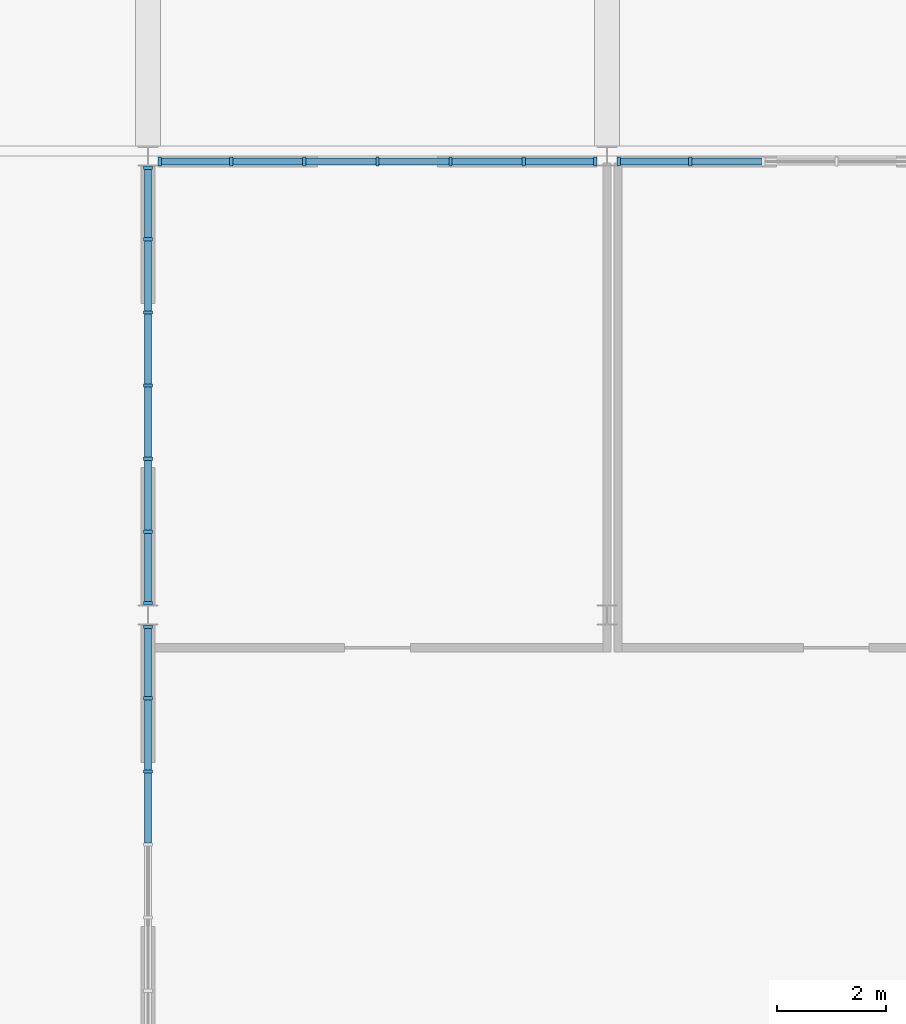
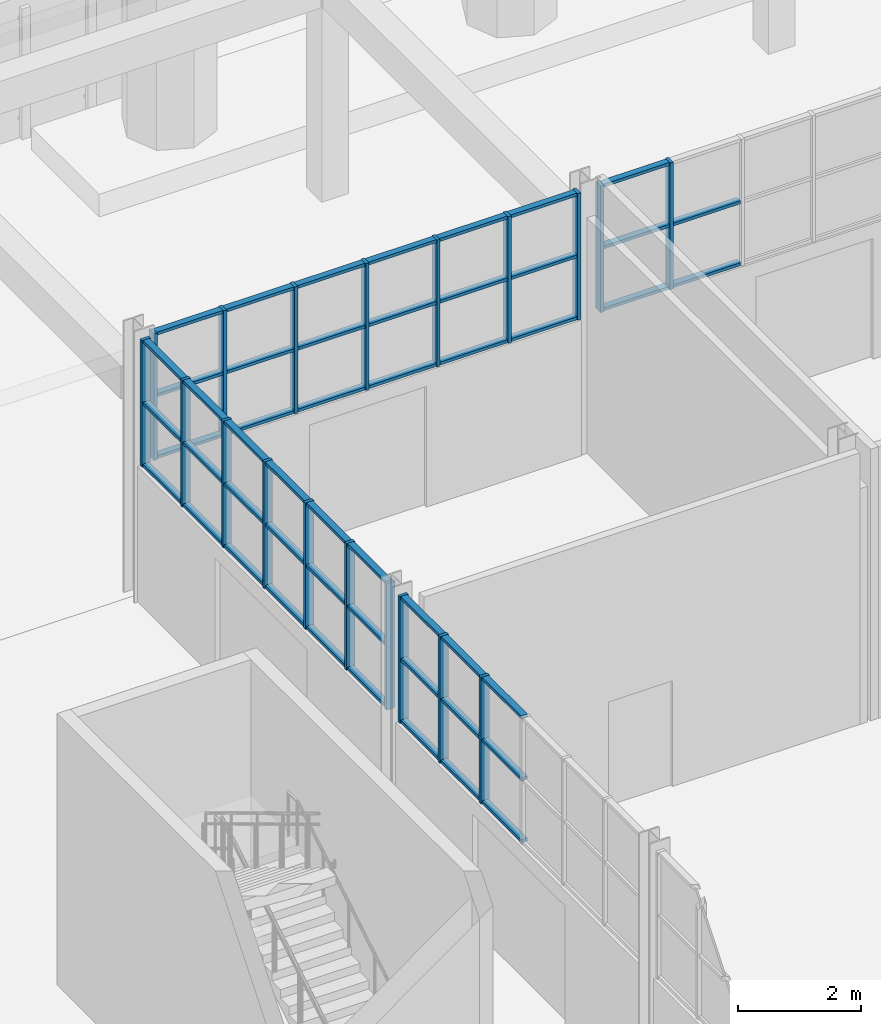
# One storey, part 39 of 127: 69 members, 4 elements without a shape of their own.
"""IFC4 building model written with IfcOpenShell, lengths in metres."""

from ifc_helpers import new_model, si_unit, direction, frame, origin, origin_2d, place, context, subcontext, project, spatial, rectangle, extrude, material, material_profile, profile_set, type_object, element, aggregate, save


model = new_model("IFC4")

# Units and contexts
model_context = context("Model", 3, precision=1e-05, world=origin(), true_north=direction((0.0, 1.0)))
body_context = subcontext(model_context, "Body", "Model", "MODEL_VIEW")
ifc_project = project(units=[si_unit("LENGTHUNIT", "METRE"), si_unit("AREAUNIT", "SQUARE_METRE"), si_unit("VOLUMEUNIT", "CUBIC_METRE"), si_unit("PLANEANGLEUNIT", "RADIAN"), si_unit("MASSUNIT", "GRAM", prefix="KILO")], contexts=[model_context])

# Site, building, storey
site_placement = place(None, origin())
site = spatial("IfcSite", under=ifc_project, at=site_placement, CompositionType="ELEMENT")
building_placement = place(site_placement, origin())
building = spatial("IfcBuilding", under=site, at=building_placement, Name="Ljudholm Concert House", CompositionType="ELEMENT")
storey_placement = place(building_placement, origin())
storey = spatial("IfcBuildingStorey", under=building, at=storey_placement, Name="L00", CompositionType="ELEMENT", Elevation=0.0)

# Curtain wall, members
ifc_material_1 = material(Name="Aluminium curtain wall with impact-rated laminated glass", Category="aluminium")
curtain_wall_type = type_object("IfcCurtainWallType", Name="CURTAIN WALL 1400", PredefinedType="NOTDEFINED", material=ifc_material_1)
curtain_wall_1_placement = place(storey_placement, origin())
curtain_wall_1 = element("IfcCurtainWall", 1, at=curtain_wall_1_placement, inside=storey, type_object=curtain_wall_type, Name="Foyer curtain wall", PredefinedType="NOTDEFINED")
ifc_material_2 = material(Name="Aluminium extrusion", Category="aluminium")
ifc_material_profile_1 = material_profile(ifc_material_2, rectangle(XDim=0.159912109375, YDim=0.06005859375, at=origin_2d()), Name="MULLION 60x160")
ifc_profile_set_1 = profile_set([ifc_material_profile_1], Name="Aluminium extrusion")
member_type_1 = type_object("IfcMemberType", Name="MULLION 60x160", PredefinedType="MULLION", material=ifc_profile_set_1)
member_1_placement = place(storey_placement, frame((12.39990234375, 118.73779296875, 2.699951171875), z_axis=(0.0, 0.0, 1.0), x_axis=(-1.0, 0.0, 0.0)))
member_1 = element("IfcMember", 2, at=member_1_placement, type_object=member_type_1, Name="Mullion", PredefinedType="MULLION", context=body_context, shape_type="SweptSolid", body=[
    extrude(rectangle(XDim=0.159912109375, YDim=0.06005859375, at=origin_2d()), origin(), (0.0, 0.0, 1.0), 2.52001953125),
])
member_2_placement = place(storey_placement, frame((12.39990234375, 120.075439453125, 2.699951171875), z_axis=(0.0, 0.0, 1.0), x_axis=(-1.0, 0.0, 0.0)))
member_2 = element("IfcMember", 3, at=member_2_placement, type_object=member_type_1, Name="Mullion", PredefinedType="MULLION", context=body_context, shape_type="SweptSolid", body=[
    extrude(rectangle(XDim=0.159912109375, YDim=0.06005859375, at=origin_2d()), origin(), (0.0, 0.0, 1.0), 2.52001953125),
])
member_3_placement = place(storey_placement, frame((12.39990234375, 121.38330078125, 2.699951171875), z_axis=(0.0, 0.0, 1.0), x_axis=(-1.0, 0.0, 0.0)))
member_3 = element("IfcMember", 4, at=member_3_placement, type_object=member_type_1, Name="Mullion", PredefinedType="MULLION", context=body_context, shape_type="SweptSolid", body=[
    extrude(rectangle(XDim=0.159912109375, YDim=0.06005859375, at=origin_2d()), origin(), (0.0, 0.0, 1.0), 2.52001953125),
])

curtain_wall_2_placement = place(storey_placement, origin())
curtain_wall_2 = element("IfcCurtainWall", 5, at=curtain_wall_2_placement, inside=storey, type_object=curtain_wall_type, Name="Foyer curtain wall", PredefinedType="NOTDEFINED")
member_4_placement = place(storey_placement, frame((12.39990234375, 121.816650390625, 2.699951171875), z_axis=(0.0, 0.0, 1.0), x_axis=(-1.0, 0.0, 0.0)))
member_4 = element("IfcMember", 6, at=member_4_placement, type_object=member_type_1, Name="Mullion", PredefinedType="MULLION", context=body_context, shape_type="SweptSolid", body=[
    extrude(rectangle(XDim=0.159912109375, YDim=0.06005859375, at=origin_2d()), origin(), (0.0, 0.0, 1.0), 2.52001953125),
])
member_5_placement = place(storey_placement, frame((12.39990234375, 123.12451171875, 2.699951171875), z_axis=(0.0, 0.0, 1.0), x_axis=(-1.0, 0.0, 0.0)))
member_5 = element("IfcMember", 7, at=member_5_placement, type_object=member_type_1, Name="Mullion", PredefinedType="MULLION", context=body_context, shape_type="SweptSolid", body=[
    extrude(rectangle(XDim=0.159912109375, YDim=0.06005859375, at=origin_2d()), origin(), (0.0, 0.0, 1.0), 2.52001953125),
])
member_6_placement = place(storey_placement, frame((12.39990234375, 124.462158203125, 2.699951171875), z_axis=(0.0, 0.0, 1.0), x_axis=(-1.0, 0.0, 0.0)))
member_6 = element("IfcMember", 8, at=member_6_placement, type_object=member_type_1, Name="Mullion", PredefinedType="MULLION", context=body_context, shape_type="SweptSolid", body=[
    extrude(rectangle(XDim=0.159912109375, YDim=0.06005859375, at=origin_2d()), origin(), (0.0, 0.0, 1.0), 2.52001953125),
])
member_7_placement = place(storey_placement, frame((12.39990234375, 125.800048828125, 2.699951171875), z_axis=(0.0, 0.0, 1.0), x_axis=(-1.0, 0.0, 0.0)))
member_7 = element("IfcMember", 9, at=member_7_placement, type_object=member_type_1, Name="Mullion", PredefinedType="MULLION", context=body_context, shape_type="SweptSolid", body=[
    extrude(rectangle(XDim=0.159912109375, YDim=0.06005859375, at=origin_2d()), origin(), (0.0, 0.0, 1.0), 2.52001953125),
])
member_8_placement = place(storey_placement, frame((12.39990234375, 127.1376953125, 2.699951171875), z_axis=(0.0, 0.0, 1.0), x_axis=(-1.0, 0.0, 0.0)))
member_8 = element("IfcMember", 10, at=member_8_placement, type_object=member_type_1, Name="Mullion", PredefinedType="MULLION", context=body_context, shape_type="SweptSolid", body=[
    extrude(rectangle(XDim=0.159912109375, YDim=0.06005859375, at=origin_2d()), origin(), (0.0, 0.0, 1.0), 2.52001953125),
])
member_9_placement = place(storey_placement, frame((12.39990234375, 128.4755859375, 2.699951171875), z_axis=(0.0, 0.0, 1.0), x_axis=(-1.0, 0.0, 0.0)))
member_9 = element("IfcMember", 11, at=member_9_placement, type_object=member_type_1, Name="Mullion", PredefinedType="MULLION", context=body_context, shape_type="SweptSolid", body=[
    extrude(rectangle(XDim=0.159912109375, YDim=0.06005859375, at=origin_2d()), origin(), (0.0, 0.0, 1.0), 2.52001953125),
])
member_10_placement = place(storey_placement, frame((12.39990234375, 129.783203125, 2.699951171875), z_axis=(0.0, 0.0, 1.0), x_axis=(-1.0, 0.0, 0.0)))
member_10 = element("IfcMember", 12, at=member_10_placement, type_object=member_type_1, Name="Mullion", PredefinedType="MULLION", context=body_context, shape_type="SweptSolid", body=[
    extrude(rectangle(XDim=0.159912109375, YDim=0.06005859375, at=origin_2d()), origin(), (0.0, 0.0, 1.0), 2.52001953125),
])

curtain_wall_3_placement = place(storey_placement, origin())
curtain_wall_3 = element("IfcCurtainWall", 13, at=curtain_wall_3_placement, inside=storey, type_object=curtain_wall_type, Name="North curtain wall", PredefinedType="NOTDEFINED")
member_11_placement = place(storey_placement, frame((12.61669921875, 129.89990234375, 2.699951171875), z_axis=(0.0, 0.0, 1.0), x_axis=(0.0, 1.0, 0.0)))
member_11 = element("IfcMember", 14, at=member_11_placement, type_object=member_type_1, Name="Mullion", PredefinedType="MULLION", context=body_context, shape_type="SweptSolid", body=[
    extrude(rectangle(XDim=0.159912109375, YDim=0.06005859375, at=origin_2d()), origin(), (0.0, 0.0, 1.0), 2.52001953125),
])
member_12_placement = place(storey_placement, frame((13.924560546875, 129.89990234375, 2.699951171875), z_axis=(0.0, 0.0, 1.0), x_axis=(0.0, 1.0, 0.0)))
member_12 = element("IfcMember", 15, at=member_12_placement, type_object=member_type_1, Name="Mullion", PredefinedType="MULLION", context=body_context, shape_type="SweptSolid", body=[
    extrude(rectangle(XDim=0.159912109375, YDim=0.06005859375, at=origin_2d()), origin(), (0.0, 0.0, 1.0), 2.52001953125),
])
member_13_placement = place(storey_placement, frame((15.26220703125, 129.89990234375, 2.699951171875), z_axis=(0.0, 0.0, 1.0), x_axis=(0.0, 1.0, 0.0)))
member_13 = element("IfcMember", 16, at=member_13_placement, type_object=member_type_1, Name="Mullion", PredefinedType="MULLION", context=body_context, shape_type="SweptSolid", body=[
    extrude(rectangle(XDim=0.159912109375, YDim=0.06005859375, at=origin_2d()), origin(), (0.0, 0.0, 1.0), 2.52001953125),
])
member_14_placement = place(storey_placement, frame((16.60009765625, 129.89990234375, 2.699951171875), z_axis=(0.0, 0.0, 1.0), x_axis=(0.0, 1.0, 0.0)))
member_14 = element("IfcMember", 17, at=member_14_placement, type_object=member_type_1, Name="Mullion", PredefinedType="MULLION", context=body_context, shape_type="SweptSolid", body=[
    extrude(rectangle(XDim=0.159912109375, YDim=0.06005859375, at=origin_2d()), origin(), (0.0, 0.0, 1.0), 2.52001953125),
])
member_15_placement = place(storey_placement, frame((17.937744140625, 129.89990234375, 2.699951171875), z_axis=(0.0, 0.0, 1.0), x_axis=(0.0, 1.0, 0.0)))
member_15 = element("IfcMember", 18, at=member_15_placement, type_object=member_type_1, Name="Mullion", PredefinedType="MULLION", context=body_context, shape_type="SweptSolid", body=[
    extrude(rectangle(XDim=0.159912109375, YDim=0.06005859375, at=origin_2d()), origin(), (0.0, 0.0, 1.0), 2.52001953125),
])
member_16_placement = place(storey_placement, frame((19.275634765625, 129.89990234375, 2.699951171875), z_axis=(0.0, 0.0, 1.0), x_axis=(0.0, 1.0, 0.0)))
member_16 = element("IfcMember", 19, at=member_16_placement, type_object=member_type_1, Name="Mullion", PredefinedType="MULLION", context=body_context, shape_type="SweptSolid", body=[
    extrude(rectangle(XDim=0.159912109375, YDim=0.06005859375, at=origin_2d()), origin(), (0.0, 0.0, 1.0), 2.52001953125),
])
member_17_placement = place(storey_placement, frame((20.583251953125, 129.89990234375, 2.699951171875), z_axis=(0.0, 0.0, 1.0), x_axis=(0.0, 1.0, 0.0)))
member_17 = element("IfcMember", 20, at=member_17_placement, type_object=member_type_1, Name="Mullion", PredefinedType="MULLION", context=body_context, shape_type="SweptSolid", body=[
    extrude(rectangle(XDim=0.159912109375, YDim=0.06005859375, at=origin_2d()), origin(), (0.0, 0.0, 1.0), 2.52001953125),
])

curtain_wall_4_placement = place(storey_placement, origin())
curtain_wall_4 = element("IfcCurtainWall", 21, at=curtain_wall_4_placement, inside=storey, type_object=curtain_wall_type, Name="North curtain wall", PredefinedType="NOTDEFINED")
member_18_placement = place(storey_placement, frame((21.0166015625, 129.89990234375, 2.699951171875), z_axis=(0.0, 0.0, 1.0), x_axis=(0.0, 1.0, 0.0)))
member_18 = element("IfcMember", 22, at=member_18_placement, type_object=member_type_1, Name="Mullion", PredefinedType="MULLION", context=body_context, shape_type="SweptSolid", body=[
    extrude(rectangle(XDim=0.159912109375, YDim=0.06005859375, at=origin_2d()), origin(), (0.0, 0.0, 1.0), 2.52001953125),
])
member_19_placement = place(storey_placement, frame((22.324462890625, 129.89990234375, 2.699951171875), z_axis=(0.0, 0.0, 1.0), x_axis=(0.0, 1.0, 0.0)))
member_19 = element("IfcMember", 23, at=member_19_placement, type_object=member_type_1, Name="Mullion", PredefinedType="MULLION", context=body_context, shape_type="SweptSolid", body=[
    extrude(rectangle(XDim=0.159912109375, YDim=0.06005859375, at=origin_2d()), origin(), (0.0, 0.0, 1.0), 2.52001953125),
])

# Member
ifc_material_3 = material(Name="Aluminium extrusion", Category="aluminium")
ifc_material_profile_2 = material_profile(ifc_material_3, rectangle(XDim=0.1201171875, YDim=0.06005859375, at=origin_2d()), Name="TRANSOM 60x120")
ifc_profile_set_2 = profile_set([ifc_material_profile_2], Name="Aluminium extrusion")
member_type_2 = type_object("IfcMemberType", Name="TRANSOM 60x120", PredefinedType="USERDEFINED", material=ifc_profile_set_2)
member_20_placement = place(storey_placement, frame((12.39990234375, 117.429931640625, 2.72998046875), z_axis=(0.0, 1.0, 0.0), x_axis=(-1.0, 0.0, 0.0)))
member_20 = element("IfcMember", 24, at=member_20_placement, type_object=member_type_2, Name="Transom", ObjectType="TRANSOM", PredefinedType="USERDEFINED", context=body_context, shape_type="SweptSolid", body=[
    extrude(rectangle(XDim=0.1201171875, YDim=0.06005859375, at=origin_2d()), origin(), (0.0, 0.0, 1.0), 1.27783203125),
])

member_21_placement = place(storey_placement, frame((12.39990234375, 117.429931640625, 3.9599609375), z_axis=(0.0, 1.0, 0.0), x_axis=(-1.0, 0.0, 0.0)))
member_21 = element("IfcMember", 25, at=member_21_placement, type_object=member_type_2, Name="Transom", ObjectType="TRANSOM", PredefinedType="USERDEFINED", context=body_context, shape_type="SweptSolid", body=[
    extrude(rectangle(XDim=0.1201171875, YDim=0.06005859375, at=origin_2d()), origin(), (0.0, 0.0, 1.0), 1.27783203125),
])

member_22_placement = place(storey_placement, frame((12.39990234375, 117.429931640625, 5.18994140625), z_axis=(0.0, 1.0, 0.0), x_axis=(-1.0, 0.0, 0.0)))
member_22 = element("IfcMember", 26, at=member_22_placement, type_object=member_type_2, Name="Transom", ObjectType="TRANSOM", PredefinedType="USERDEFINED", context=body_context, shape_type="SweptSolid", body=[
    extrude(rectangle(XDim=0.1201171875, YDim=0.06005859375, at=origin_2d()), origin(), (0.0, 0.0, 1.0), 1.27783203125),
])

member_23_placement = place(storey_placement, frame((12.39990234375, 118.767822265625, 2.72998046875), z_axis=(0.0, 1.0, 0.0), x_axis=(-1.0, 0.0, 0.0)))
member_23 = element("IfcMember", 27, at=member_23_placement, type_object=member_type_2, Name="Transom", ObjectType="TRANSOM", PredefinedType="USERDEFINED", context=body_context, shape_type="SweptSolid", body=[
    extrude(rectangle(XDim=0.1201171875, YDim=0.06005859375, at=origin_2d()), origin(), (0.0, 0.0, 1.0), 1.27783203125),
])

member_24_placement = place(storey_placement, frame((12.39990234375, 118.767822265625, 3.9599609375), z_axis=(0.0, 1.0, 0.0), x_axis=(-1.0, 0.0, 0.0)))
member_24 = element("IfcMember", 28, at=member_24_placement, type_object=member_type_2, Name="Transom", ObjectType="TRANSOM", PredefinedType="USERDEFINED", context=body_context, shape_type="SweptSolid", body=[
    extrude(rectangle(XDim=0.1201171875, YDim=0.06005859375, at=origin_2d()), origin(), (0.0, 0.0, 1.0), 1.27783203125),
])

member_25_placement = place(storey_placement, frame((12.39990234375, 118.767822265625, 5.18994140625), z_axis=(0.0, 1.0, 0.0), x_axis=(-1.0, 0.0, 0.0)))
member_25 = element("IfcMember", 29, at=member_25_placement, type_object=member_type_2, Name="Transom", ObjectType="TRANSOM", PredefinedType="USERDEFINED", context=body_context, shape_type="SweptSolid", body=[
    extrude(rectangle(XDim=0.1201171875, YDim=0.06005859375, at=origin_2d()), origin(), (0.0, 0.0, 1.0), 1.27783203125),
])

member_26_placement = place(storey_placement, frame((12.39990234375, 120.10546875, 2.72998046875), z_axis=(0.0, 1.0, 0.0), x_axis=(-1.0, 0.0, 0.0)))
member_26 = element("IfcMember", 30, at=member_26_placement, type_object=member_type_2, Name="Transom", ObjectType="TRANSOM", PredefinedType="USERDEFINED", context=body_context, shape_type="SweptSolid", body=[
    extrude(rectangle(XDim=0.1201171875, YDim=0.06005859375, at=origin_2d()), origin(), (0.0, 0.0, 1.0), 1.247802734375),
])

member_27_placement = place(storey_placement, frame((12.39990234375, 120.10546875, 3.9599609375), z_axis=(0.0, 1.0, 0.0), x_axis=(-1.0, 0.0, 0.0)))
member_27 = element("IfcMember", 31, at=member_27_placement, type_object=member_type_2, Name="Transom", ObjectType="TRANSOM", PredefinedType="USERDEFINED", context=body_context, shape_type="SweptSolid", body=[
    extrude(rectangle(XDim=0.1201171875, YDim=0.06005859375, at=origin_2d()), origin(), (0.0, 0.0, 1.0), 1.247802734375),
])

member_28_placement = place(storey_placement, frame((12.39990234375, 120.10546875, 5.18994140625), z_axis=(0.0, 1.0, 0.0), x_axis=(-1.0, 0.0, 0.0)))
member_28 = element("IfcMember", 32, at=member_28_placement, type_object=member_type_2, Name="Transom", ObjectType="TRANSOM", PredefinedType="USERDEFINED", context=body_context, shape_type="SweptSolid", body=[
    extrude(rectangle(XDim=0.1201171875, YDim=0.06005859375, at=origin_2d()), origin(), (0.0, 0.0, 1.0), 1.247802734375),
])

aggregate(curtain_wall_1, [member_1, member_2, member_3, member_20, member_21, member_22, member_23, member_24, member_25, member_26, member_27, member_28])

member_29_placement = place(storey_placement, frame((12.39990234375, 121.8466796875, 2.72998046875), z_axis=(0.0, 1.0, 0.0), x_axis=(-1.0, 0.0, 0.0)))
member_29 = element("IfcMember", 33, at=member_29_placement, type_object=member_type_2, Name="Transom", ObjectType="TRANSOM", PredefinedType="USERDEFINED", context=body_context, shape_type="SweptSolid", body=[
    extrude(rectangle(XDim=0.1201171875, YDim=0.06005859375, at=origin_2d()), origin(), (0.0, 0.0, 1.0), 1.247802734375),
])

member_30_placement = place(storey_placement, frame((12.39990234375, 121.8466796875, 3.9599609375), z_axis=(0.0, 1.0, 0.0), x_axis=(-1.0, 0.0, 0.0)))
member_30 = element("IfcMember", 34, at=member_30_placement, type_object=member_type_2, Name="Transom", ObjectType="TRANSOM", PredefinedType="USERDEFINED", context=body_context, shape_type="SweptSolid", body=[
    extrude(rectangle(XDim=0.1201171875, YDim=0.06005859375, at=origin_2d()), origin(), (0.0, 0.0, 1.0), 1.247802734375),
])

member_31_placement = place(storey_placement, frame((12.39990234375, 121.8466796875, 5.18994140625), z_axis=(0.0, 1.0, 0.0), x_axis=(-1.0, 0.0, 0.0)))
member_31 = element("IfcMember", 35, at=member_31_placement, type_object=member_type_2, Name="Transom", ObjectType="TRANSOM", PredefinedType="USERDEFINED", context=body_context, shape_type="SweptSolid", body=[
    extrude(rectangle(XDim=0.1201171875, YDim=0.06005859375, at=origin_2d()), origin(), (0.0, 0.0, 1.0), 1.247802734375),
])

member_32_placement = place(storey_placement, frame((12.39990234375, 123.154541015625, 2.72998046875), z_axis=(0.0, 1.0, 0.0), x_axis=(-1.0, 0.0, 0.0)))
member_32 = element("IfcMember", 36, at=member_32_placement, type_object=member_type_2, Name="Transom", ObjectType="TRANSOM", PredefinedType="USERDEFINED", context=body_context, shape_type="SweptSolid", body=[
    extrude(rectangle(XDim=0.1201171875, YDim=0.06005859375, at=origin_2d()), origin(), (0.0, 0.0, 1.0), 1.277587890625),
])

member_33_placement = place(storey_placement, frame((12.39990234375, 123.154541015625, 3.9599609375), z_axis=(0.0, 1.0, 0.0), x_axis=(-1.0, 0.0, 0.0)))
member_33 = element("IfcMember", 37, at=member_33_placement, type_object=member_type_2, Name="Transom", ObjectType="TRANSOM", PredefinedType="USERDEFINED", context=body_context, shape_type="SweptSolid", body=[
    extrude(rectangle(XDim=0.1201171875, YDim=0.06005859375, at=origin_2d()), origin(), (0.0, 0.0, 1.0), 1.277587890625),
])

member_34_placement = place(storey_placement, frame((12.39990234375, 123.154541015625, 5.18994140625), z_axis=(0.0, 1.0, 0.0), x_axis=(-1.0, 0.0, 0.0)))
member_34 = element("IfcMember", 38, at=member_34_placement, type_object=member_type_2, Name="Transom", ObjectType="TRANSOM", PredefinedType="USERDEFINED", context=body_context, shape_type="SweptSolid", body=[
    extrude(rectangle(XDim=0.1201171875, YDim=0.06005859375, at=origin_2d()), origin(), (0.0, 0.0, 1.0), 1.277587890625),
])

member_35_placement = place(storey_placement, frame((12.39990234375, 124.4921875, 2.72998046875), z_axis=(0.0, 1.0, 0.0), x_axis=(-1.0, 0.0, 0.0)))
member_35 = element("IfcMember", 39, at=member_35_placement, type_object=member_type_2, Name="Transom", ObjectType="TRANSOM", PredefinedType="USERDEFINED", context=body_context, shape_type="SweptSolid", body=[
    extrude(rectangle(XDim=0.1201171875, YDim=0.06005859375, at=origin_2d()), origin(), (0.0, 0.0, 1.0), 1.27783203125),
])

member_36_placement = place(storey_placement, frame((12.39990234375, 124.4921875, 3.9599609375), z_axis=(0.0, 1.0, 0.0), x_axis=(-1.0, 0.0, 0.0)))
member_36 = element("IfcMember", 40, at=member_36_placement, type_object=member_type_2, Name="Transom", ObjectType="TRANSOM", PredefinedType="USERDEFINED", context=body_context, shape_type="SweptSolid", body=[
    extrude(rectangle(XDim=0.1201171875, YDim=0.06005859375, at=origin_2d()), origin(), (0.0, 0.0, 1.0), 1.27783203125),
])

member_37_placement = place(storey_placement, frame((12.39990234375, 124.4921875, 5.18994140625), z_axis=(0.0, 1.0, 0.0), x_axis=(-1.0, 0.0, 0.0)))
member_37 = element("IfcMember", 41, at=member_37_placement, type_object=member_type_2, Name="Transom", ObjectType="TRANSOM", PredefinedType="USERDEFINED", context=body_context, shape_type="SweptSolid", body=[
    extrude(rectangle(XDim=0.1201171875, YDim=0.06005859375, at=origin_2d()), origin(), (0.0, 0.0, 1.0), 1.27783203125),
])

member_38_placement = place(storey_placement, frame((12.39990234375, 125.830078125, 2.72998046875), z_axis=(0.0, 1.0, 0.0), x_axis=(-1.0, 0.0, 0.0)))
member_38 = element("IfcMember", 42, at=member_38_placement, type_object=member_type_2, Name="Transom", ObjectType="TRANSOM", PredefinedType="USERDEFINED", context=body_context, shape_type="SweptSolid", body=[
    extrude(rectangle(XDim=0.1201171875, YDim=0.06005859375, at=origin_2d()), origin(), (0.0, 0.0, 1.0), 1.277587890625),
])

member_39_placement = place(storey_placement, frame((12.39990234375, 125.830078125, 3.9599609375), z_axis=(0.0, 1.0, 0.0), x_axis=(-1.0, 0.0, 0.0)))
member_39 = element("IfcMember", 43, at=member_39_placement, type_object=member_type_2, Name="Transom", ObjectType="TRANSOM", PredefinedType="USERDEFINED", context=body_context, shape_type="SweptSolid", body=[
    extrude(rectangle(XDim=0.1201171875, YDim=0.06005859375, at=origin_2d()), origin(), (0.0, 0.0, 1.0), 1.277587890625),
])

member_40_placement = place(storey_placement, frame((12.39990234375, 125.830078125, 5.18994140625), z_axis=(0.0, 1.0, 0.0), x_axis=(-1.0, 0.0, 0.0)))
member_40 = element("IfcMember", 44, at=member_40_placement, type_object=member_type_2, Name="Transom", ObjectType="TRANSOM", PredefinedType="USERDEFINED", context=body_context, shape_type="SweptSolid", body=[
    extrude(rectangle(XDim=0.1201171875, YDim=0.06005859375, at=origin_2d()), origin(), (0.0, 0.0, 1.0), 1.277587890625),
])

member_41_placement = place(storey_placement, frame((12.39990234375, 127.167724609375, 2.72998046875), z_axis=(0.0, 1.0, 0.0), x_axis=(-1.0, 0.0, 0.0)))
member_41 = element("IfcMember", 45, at=member_41_placement, type_object=member_type_2, Name="Transom", ObjectType="TRANSOM", PredefinedType="USERDEFINED", context=body_context, shape_type="SweptSolid", body=[
    extrude(rectangle(XDim=0.1201171875, YDim=0.06005859375, at=origin_2d()), origin(), (0.0, 0.0, 1.0), 1.27783203125),
])

member_42_placement = place(storey_placement, frame((12.39990234375, 127.167724609375, 3.9599609375), z_axis=(0.0, 1.0, 0.0), x_axis=(-1.0, 0.0, 0.0)))
member_42 = element("IfcMember", 46, at=member_42_placement, type_object=member_type_2, Name="Transom", ObjectType="TRANSOM", PredefinedType="USERDEFINED", context=body_context, shape_type="SweptSolid", body=[
    extrude(rectangle(XDim=0.1201171875, YDim=0.06005859375, at=origin_2d()), origin(), (0.0, 0.0, 1.0), 1.27783203125),
])

member_43_placement = place(storey_placement, frame((12.39990234375, 127.167724609375, 5.18994140625), z_axis=(0.0, 1.0, 0.0), x_axis=(-1.0, 0.0, 0.0)))
member_43 = element("IfcMember", 47, at=member_43_placement, type_object=member_type_2, Name="Transom", ObjectType="TRANSOM", PredefinedType="USERDEFINED", context=body_context, shape_type="SweptSolid", body=[
    extrude(rectangle(XDim=0.1201171875, YDim=0.06005859375, at=origin_2d()), origin(), (0.0, 0.0, 1.0), 1.27783203125),
])

member_44_placement = place(storey_placement, frame((12.39990234375, 128.505615234375, 2.72998046875), z_axis=(0.0, 1.0, 0.0), x_axis=(-1.0, 0.0, 0.0)))
member_44 = element("IfcMember", 48, at=member_44_placement, type_object=member_type_2, Name="Transom", ObjectType="TRANSOM", PredefinedType="USERDEFINED", context=body_context, shape_type="SweptSolid", body=[
    extrude(rectangle(XDim=0.1201171875, YDim=0.06005859375, at=origin_2d()), origin(), (0.0, 0.0, 1.0), 1.247802734375),
])

member_45_placement = place(storey_placement, frame((12.39990234375, 128.505615234375, 3.9599609375), z_axis=(0.0, 1.0, 0.0), x_axis=(-1.0, 0.0, 0.0)))
member_45 = element("IfcMember", 49, at=member_45_placement, type_object=member_type_2, Name="Transom", ObjectType="TRANSOM", PredefinedType="USERDEFINED", context=body_context, shape_type="SweptSolid", body=[
    extrude(rectangle(XDim=0.1201171875, YDim=0.06005859375, at=origin_2d()), origin(), (0.0, 0.0, 1.0), 1.247802734375),
])

member_46_placement = place(storey_placement, frame((12.39990234375, 128.505615234375, 5.18994140625), z_axis=(0.0, 1.0, 0.0), x_axis=(-1.0, 0.0, 0.0)))
member_46 = element("IfcMember", 50, at=member_46_placement, type_object=member_type_2, Name="Transom", ObjectType="TRANSOM", PredefinedType="USERDEFINED", context=body_context, shape_type="SweptSolid", body=[
    extrude(rectangle(XDim=0.1201171875, YDim=0.06005859375, at=origin_2d()), origin(), (0.0, 0.0, 1.0), 1.247802734375),
])

aggregate(curtain_wall_2, [member_4, member_5, member_6, member_7, member_8, member_9, member_10, member_29, member_30, member_31, member_32, member_33, member_34, member_35, member_36, member_37, member_38, member_39, member_40, member_41, member_42, member_43, member_44, member_45, member_46])

member_47_placement = place(storey_placement, frame((12.646728515625, 129.89990234375, 2.72998046875), z_axis=(1.0, 0.0, 0.0), x_axis=(0.0, 1.0, 0.0)))
member_47 = element("IfcMember", 51, at=member_47_placement, type_object=member_type_2, Name="Transom", ObjectType="TRANSOM", PredefinedType="USERDEFINED", context=body_context, shape_type="SweptSolid", body=[
    extrude(rectangle(XDim=0.1201171875, YDim=0.06005859375, at=origin_2d()), origin(), (0.0, 0.0, 1.0), 1.247802734375),
])

member_48_placement = place(storey_placement, frame((12.646728515625, 129.89990234375, 3.9599609375), z_axis=(1.0, 0.0, 0.0), x_axis=(0.0, 1.0, 0.0)))
member_48 = element("IfcMember", 52, at=member_48_placement, type_object=member_type_2, Name="Transom", ObjectType="TRANSOM", PredefinedType="USERDEFINED", context=body_context, shape_type="SweptSolid", body=[
    extrude(rectangle(XDim=0.1201171875, YDim=0.06005859375, at=origin_2d()), origin(), (0.0, 0.0, 1.0), 1.247802734375),
])

member_49_placement = place(storey_placement, frame((12.646728515625, 129.89990234375, 5.18994140625), z_axis=(1.0, 0.0, 0.0), x_axis=(0.0, 1.0, 0.0)))
member_49 = element("IfcMember", 53, at=member_49_placement, type_object=member_type_2, Name="Transom", ObjectType="TRANSOM", PredefinedType="USERDEFINED", context=body_context, shape_type="SweptSolid", body=[
    extrude(rectangle(XDim=0.1201171875, YDim=0.06005859375, at=origin_2d()), origin(), (0.0, 0.0, 1.0), 1.247802734375),
])

member_50_placement = place(storey_placement, frame((13.954345703125, 129.89990234375, 2.72998046875), z_axis=(1.0, 0.0, 0.0), x_axis=(0.0, 1.0, 0.0)))
member_50 = element("IfcMember", 54, at=member_50_placement, type_object=member_type_2, Name="Transom", ObjectType="TRANSOM", PredefinedType="USERDEFINED", context=body_context, shape_type="SweptSolid", body=[
    extrude(rectangle(XDim=0.1201171875, YDim=0.06005859375, at=origin_2d()), origin(), (0.0, 0.0, 1.0), 1.27783203125),
])

member_51_placement = place(storey_placement, frame((13.954345703125, 129.89990234375, 3.9599609375), z_axis=(1.0, 0.0, 0.0), x_axis=(0.0, 1.0, 0.0)))
member_51 = element("IfcMember", 55, at=member_51_placement, type_object=member_type_2, Name="Transom", ObjectType="TRANSOM", PredefinedType="USERDEFINED", context=body_context, shape_type="SweptSolid", body=[
    extrude(rectangle(XDim=0.1201171875, YDim=0.06005859375, at=origin_2d()), origin(), (0.0, 0.0, 1.0), 1.27783203125),
])

member_52_placement = place(storey_placement, frame((13.954345703125, 129.89990234375, 5.18994140625), z_axis=(1.0, 0.0, 0.0), x_axis=(0.0, 1.0, 0.0)))
member_52 = element("IfcMember", 56, at=member_52_placement, type_object=member_type_2, Name="Transom", ObjectType="TRANSOM", PredefinedType="USERDEFINED", context=body_context, shape_type="SweptSolid", body=[
    extrude(rectangle(XDim=0.1201171875, YDim=0.06005859375, at=origin_2d()), origin(), (0.0, 0.0, 1.0), 1.27783203125),
])

member_53_placement = place(storey_placement, frame((15.292236328125, 129.89990234375, 2.72998046875), z_axis=(1.0, 0.0, 0.0), x_axis=(0.0, 1.0, 0.0)))
member_53 = element("IfcMember", 57, at=member_53_placement, type_object=member_type_2, Name="Transom", ObjectType="TRANSOM", PredefinedType="USERDEFINED", context=body_context, shape_type="SweptSolid", body=[
    extrude(rectangle(XDim=0.1201171875, YDim=0.06005859375, at=origin_2d()), origin(), (0.0, 0.0, 1.0), 1.27783203125),
])

member_54_placement = place(storey_placement, frame((15.292236328125, 129.89990234375, 3.9599609375), z_axis=(1.0, 0.0, 0.0), x_axis=(0.0, 1.0, 0.0)))
member_54 = element("IfcMember", 58, at=member_54_placement, type_object=member_type_2, Name="Transom", ObjectType="TRANSOM", PredefinedType="USERDEFINED", context=body_context, shape_type="SweptSolid", body=[
    extrude(rectangle(XDim=0.1201171875, YDim=0.06005859375, at=origin_2d()), origin(), (0.0, 0.0, 1.0), 1.27783203125),
])

member_55_placement = place(storey_placement, frame((15.292236328125, 129.89990234375, 5.18994140625), z_axis=(1.0, 0.0, 0.0), x_axis=(0.0, 1.0, 0.0)))
member_55 = element("IfcMember", 59, at=member_55_placement, type_object=member_type_2, Name="Transom", ObjectType="TRANSOM", PredefinedType="USERDEFINED", context=body_context, shape_type="SweptSolid", body=[
    extrude(rectangle(XDim=0.1201171875, YDim=0.06005859375, at=origin_2d()), origin(), (0.0, 0.0, 1.0), 1.27783203125),
])

member_56_placement = place(storey_placement, frame((16.6298828125, 129.89990234375, 2.72998046875), z_axis=(1.0, 0.0, 0.0), x_axis=(0.0, 1.0, 0.0)))
member_56 = element("IfcMember", 60, at=member_56_placement, type_object=member_type_2, Name="Transom", ObjectType="TRANSOM", PredefinedType="USERDEFINED", context=body_context, shape_type="SweptSolid", body=[
    extrude(rectangle(XDim=0.1201171875, YDim=0.06005859375, at=origin_2d()), origin(), (0.0, 0.0, 1.0), 1.27783203125),
])

member_57_placement = place(storey_placement, frame((16.6298828125, 129.89990234375, 3.9599609375), z_axis=(1.0, 0.0, 0.0), x_axis=(0.0, 1.0, 0.0)))
member_57 = element("IfcMember", 61, at=member_57_placement, type_object=member_type_2, Name="Transom", ObjectType="TRANSOM", PredefinedType="USERDEFINED", context=body_context, shape_type="SweptSolid", body=[
    extrude(rectangle(XDim=0.1201171875, YDim=0.06005859375, at=origin_2d()), origin(), (0.0, 0.0, 1.0), 1.27783203125),
])

member_58_placement = place(storey_placement, frame((16.6298828125, 129.89990234375, 5.18994140625), z_axis=(1.0, 0.0, 0.0), x_axis=(0.0, 1.0, 0.0)))
member_58 = element("IfcMember", 62, at=member_58_placement, type_object=member_type_2, Name="Transom", ObjectType="TRANSOM", PredefinedType="USERDEFINED", context=body_context, shape_type="SweptSolid", body=[
    extrude(rectangle(XDim=0.1201171875, YDim=0.06005859375, at=origin_2d()), origin(), (0.0, 0.0, 1.0), 1.27783203125),
])

member_59_placement = place(storey_placement, frame((17.9677734375, 129.89990234375, 2.72998046875), z_axis=(1.0, 0.0, 0.0), x_axis=(0.0, 1.0, 0.0)))
member_59 = element("IfcMember", 63, at=member_59_placement, type_object=member_type_2, Name="Transom", ObjectType="TRANSOM", PredefinedType="USERDEFINED", context=body_context, shape_type="SweptSolid", body=[
    extrude(rectangle(XDim=0.1201171875, YDim=0.06005859375, at=origin_2d()), origin(), (0.0, 0.0, 1.0), 1.27783203125),
])

member_60_placement = place(storey_placement, frame((17.9677734375, 129.89990234375, 3.9599609375), z_axis=(1.0, 0.0, 0.0), x_axis=(0.0, 1.0, 0.0)))
member_60 = element("IfcMember", 64, at=member_60_placement, type_object=member_type_2, Name="Transom", ObjectType="TRANSOM", PredefinedType="USERDEFINED", context=body_context, shape_type="SweptSolid", body=[
    extrude(rectangle(XDim=0.1201171875, YDim=0.06005859375, at=origin_2d()), origin(), (0.0, 0.0, 1.0), 1.27783203125),
])

member_61_placement = place(storey_placement, frame((17.9677734375, 129.89990234375, 5.18994140625), z_axis=(1.0, 0.0, 0.0), x_axis=(0.0, 1.0, 0.0)))
member_61 = element("IfcMember", 65, at=member_61_placement, type_object=member_type_2, Name="Transom", ObjectType="TRANSOM", PredefinedType="USERDEFINED", context=body_context, shape_type="SweptSolid", body=[
    extrude(rectangle(XDim=0.1201171875, YDim=0.06005859375, at=origin_2d()), origin(), (0.0, 0.0, 1.0), 1.27783203125),
])

member_62_placement = place(storey_placement, frame((19.305419921875, 129.89990234375, 2.72998046875), z_axis=(1.0, 0.0, 0.0), x_axis=(0.0, 1.0, 0.0)))
member_62 = element("IfcMember", 66, at=member_62_placement, type_object=member_type_2, Name="Transom", ObjectType="TRANSOM", PredefinedType="USERDEFINED", context=body_context, shape_type="SweptSolid", body=[
    extrude(rectangle(XDim=0.1201171875, YDim=0.06005859375, at=origin_2d()), origin(), (0.0, 0.0, 1.0), 1.247802734375),
])

member_63_placement = place(storey_placement, frame((19.305419921875, 129.89990234375, 3.9599609375), z_axis=(1.0, 0.0, 0.0), x_axis=(0.0, 1.0, 0.0)))
member_63 = element("IfcMember", 67, at=member_63_placement, type_object=member_type_2, Name="Transom", ObjectType="TRANSOM", PredefinedType="USERDEFINED", context=body_context, shape_type="SweptSolid", body=[
    extrude(rectangle(XDim=0.1201171875, YDim=0.06005859375, at=origin_2d()), origin(), (0.0, 0.0, 1.0), 1.247802734375),
])

member_64_placement = place(storey_placement, frame((19.305419921875, 129.89990234375, 5.18994140625), z_axis=(1.0, 0.0, 0.0), x_axis=(0.0, 1.0, 0.0)))
member_64 = element("IfcMember", 68, at=member_64_placement, type_object=member_type_2, Name="Transom", ObjectType="TRANSOM", PredefinedType="USERDEFINED", context=body_context, shape_type="SweptSolid", body=[
    extrude(rectangle(XDim=0.1201171875, YDim=0.06005859375, at=origin_2d()), origin(), (0.0, 0.0, 1.0), 1.247802734375),
])

aggregate(curtain_wall_3, [member_11, member_12, member_13, member_14, member_15, member_16, member_17, member_47, member_48, member_49, member_50, member_51, member_52, member_53, member_54, member_55, member_56, member_57, member_58, member_59, member_60, member_61, member_62, member_63, member_64])

member_65_placement = place(storey_placement, frame((21.046630859375, 129.89990234375, 2.72998046875), z_axis=(1.0, 0.0, 0.0), x_axis=(0.0, 1.0, 0.0)))
member_65 = element("IfcMember", 69, at=member_65_placement, type_object=member_type_2, Name="Transom", ObjectType="TRANSOM", PredefinedType="USERDEFINED", context=body_context, shape_type="SweptSolid", body=[
    extrude(rectangle(XDim=0.1201171875, YDim=0.06005859375, at=origin_2d()), origin(), (0.0, 0.0, 1.0), 1.247802734375),
])

member_66_placement = place(storey_placement, frame((21.046630859375, 129.89990234375, 3.9599609375), z_axis=(1.0, 0.0, 0.0), x_axis=(0.0, 1.0, 0.0)))
member_66 = element("IfcMember", 70, at=member_66_placement, type_object=member_type_2, Name="Transom", ObjectType="TRANSOM", PredefinedType="USERDEFINED", context=body_context, shape_type="SweptSolid", body=[
    extrude(rectangle(XDim=0.1201171875, YDim=0.06005859375, at=origin_2d()), origin(), (0.0, 0.0, 1.0), 1.247802734375),
])

member_67_placement = place(storey_placement, frame((21.046630859375, 129.89990234375, 5.18994140625), z_axis=(1.0, 0.0, 0.0), x_axis=(0.0, 1.0, 0.0)))
member_67 = element("IfcMember", 71, at=member_67_placement, type_object=member_type_2, Name="Transom", ObjectType="TRANSOM", PredefinedType="USERDEFINED", context=body_context, shape_type="SweptSolid", body=[
    extrude(rectangle(XDim=0.1201171875, YDim=0.06005859375, at=origin_2d()), origin(), (0.0, 0.0, 1.0), 1.247802734375),
])

member_68_placement = place(storey_placement, frame((22.3544921875, 129.89990234375, 2.72998046875), z_axis=(1.0, 0.0, 0.0), x_axis=(0.0, 1.0, 0.0)))
member_68 = element("IfcMember", 72, at=member_68_placement, type_object=member_type_2, Name="Transom", ObjectType="TRANSOM", PredefinedType="USERDEFINED", context=body_context, shape_type="SweptSolid", body=[
    extrude(rectangle(XDim=0.1201171875, YDim=0.06005859375, at=origin_2d()), origin(), (0.0, 0.0, 1.0), 1.27783203125),
])

member_69_placement = place(storey_placement, frame((22.3544921875, 129.89990234375, 3.9599609375), z_axis=(1.0, 0.0, 0.0), x_axis=(0.0, 1.0, 0.0)))
member_69 = element("IfcMember", 73, at=member_69_placement, type_object=member_type_2, Name="Transom", ObjectType="TRANSOM", PredefinedType="USERDEFINED", context=body_context, shape_type="SweptSolid", body=[
    extrude(rectangle(XDim=0.1201171875, YDim=0.06005859375, at=origin_2d()), origin(), (0.0, 0.0, 1.0), 1.27783203125),
])

aggregate(curtain_wall_4, [member_18, member_19, member_65, member_66, member_67, member_68, member_69])

save(model, "model.ifc")
